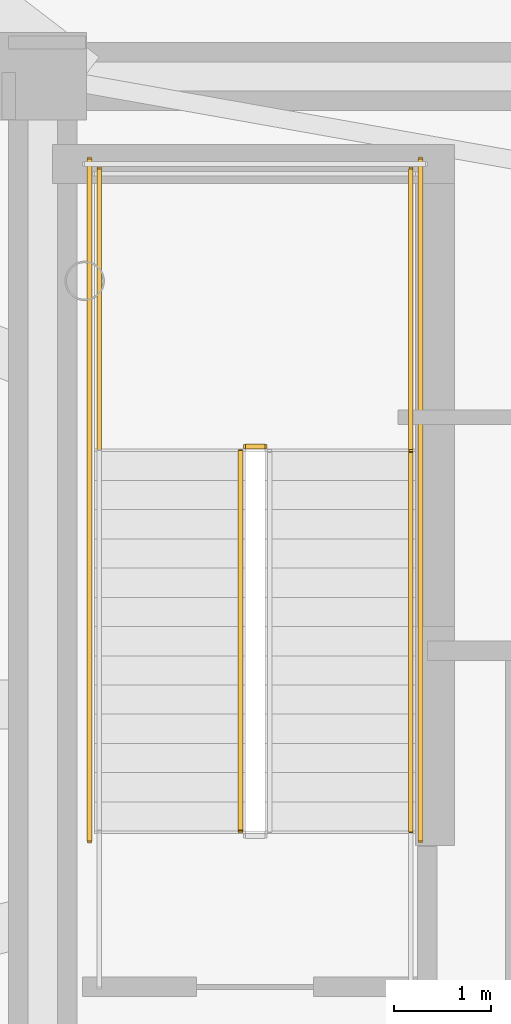
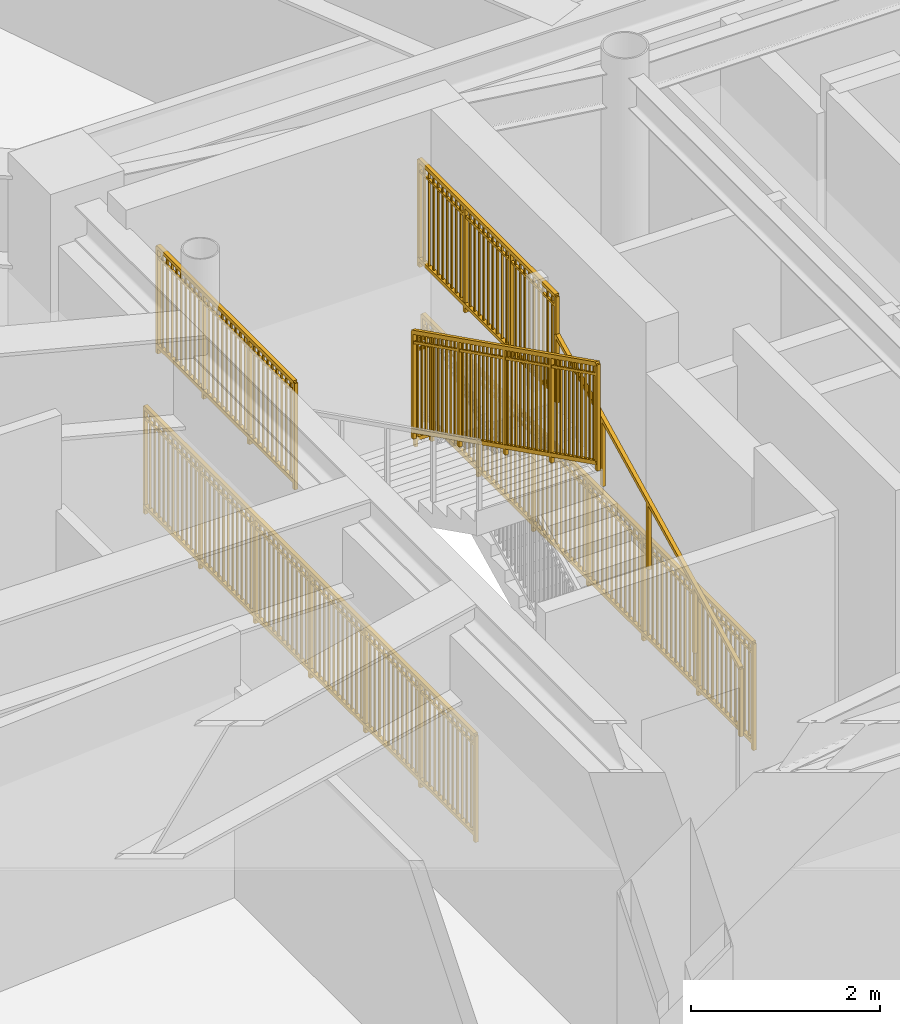
# One storey, part 24 of 26: 7 railings.
"""IFC4 building model written with IfcOpenShell, lengths in metres."""

from ifc_helpers import new_model, si_unit, direction, frame, origin, origin_2d, place, context, subcontext, project, spatial, rectangle, extrude, source, transform, mapped, material, type_object, element, save


model = new_model("IFC4")

# Units and contexts
model_context = context("Model", 3, precision=1e-05, world=origin(), true_north=direction((0.0, 1.0)))
body_context = subcontext(model_context, "Body", "Model", "MODEL_VIEW")
ifc_project = project(units=[si_unit("LENGTHUNIT", "METRE"), si_unit("AREAUNIT", "SQUARE_METRE"), si_unit("VOLUMEUNIT", "CUBIC_METRE"), si_unit("PLANEANGLEUNIT", "RADIAN"), si_unit("MASSUNIT", "GRAM", prefix="KILO")], contexts=[model_context])

# Site, building, storey
site_placement = place(None, origin())
site = spatial("IfcSite", under=ifc_project, at=site_placement, CompositionType="ELEMENT")
building_placement = place(site_placement, origin())
building = spatial("IfcBuilding", under=site, at=building_placement, Name="Linh Dai School and Residence Tower", CompositionType="ELEMENT")
storey_placement = place(building_placement, frame((0.0, 0.0, 351.0)))
storey = spatial("IfcBuildingStorey", under=building, at=storey_placement, Name="L87", CompositionType="ELEMENT", Elevation=351.0)

# Railings
ifc_material_1 = material(Name="Structural Steel S355JR", Category="steel")
railing_type_1 = type_object("IfcRailingType", Name="RL-ST-GUARD-1400", PredefinedType="GUARDRAIL", material=ifc_material_1)
shared_shape_1 = source(origin(), body_context, "Body", "SweptSolid", [
    extrude(rectangle(XDim=0.048095703125, YDim=0.048095703125, at=origin_2d()), frame((0.0, 0.0, 1.3759765625), z_axis=(-1.0, 0.0, 0.0), x_axis=(0.0, -1.0, 0.0)), (0.0, 0.0, 1.0), 0.199951171875),
    extrude(rectangle(XDim=0.048095703125, YDim=0.048095703125, at=origin_2d()), frame((0.0, 0.0, 0.10009765625), z_axis=(-1.0, 0.0, 0.0), x_axis=(0.0, -1.0, 0.0)), (0.0, 0.0, 1.0), 0.199951171875),
    extrude(rectangle(XDim=0.030029296875, YDim=0.030029296875, at=origin_2d()), frame((0.0, 0.0, 1.239990234375), z_axis=(-1.0, 0.0, 0.0), x_axis=(0.0, -1.0, 0.0)), (0.0, 0.0, 1.0), 0.199951171875),
    extrude(rectangle(XDim=0.0419921875, YDim=0.0419921875, at=origin_2d()), origin(), (0.0, 0.0, 1.0), 1.3759765625),
    extrude(rectangle(XDim=0.0419921875, YDim=0.0419921875, at=origin_2d()), frame((-0.199951171875, 0.0, 0.0)), (0.0, 0.0, 1.0), 1.3759765625),
])
railing_1_placement = place(storey_placement, frame((29.429931640625, 29.64990234375, 2.10009765625)))
element("IfcRailing", 1, at=railing_1_placement, inside=storey, type_object=railing_type_1, Name="L87 ST1 stair guard 2", PredefinedType="GUARDRAIL", context=body_context, shape_type="MappedRepresentation", body=[
    mapped(shared_shape_1, transform((0.0, 0.0, 0.0), x_axis=(1.0, 0.0, 0.0), y_axis=(0.0, 1.0, 0.0), z_axis=(0.0, 0.0, 1.0), scale=1.0)),
])
shared_shape_2 = source(origin(), body_context, "Body", "SweptSolid", [
    extrude(rectangle(XDim=0.048095703125, YDim=0.048095703125, at=origin_2d()), frame((0.0, 0.0, 1.3759765625), z_axis=(0.0, 1.0, 0.0), x_axis=(-1.0, 0.0, 0.0)), (0.0, 0.0, 1.0), 7.0),
    extrude(rectangle(XDim=0.048095703125, YDim=0.048095703125, at=origin_2d()), frame((0.0, 0.0, 0.10009765625), z_axis=(0.0, 1.0, 0.0), x_axis=(-1.0, 0.0, 0.0)), (0.0, 0.0, 1.0), 7.0),
    extrude(rectangle(XDim=0.030029296875, YDim=0.030029296875, at=origin_2d()), frame((0.0, 0.0, 1.239990234375), z_axis=(0.0, 1.0, 0.0), x_axis=(-1.0, 0.0, 0.0)), (0.0, 0.0, 1.0), 7.0),
    extrude(rectangle(XDim=0.02001953125, YDim=0.02001953125, at=origin_2d()), frame((0.0, 0.09716796875, 0.10009765625)), (0.0, 0.0, 1.0), 1.251708984375),
    extrude(rectangle(XDim=0.02001953125, YDim=0.02001953125, at=origin_2d()), frame((0.0, 0.1943359375, 0.10009765625)), (0.0, 0.0, 1.0), 1.251708984375),
    extrude(rectangle(XDim=0.02001953125, YDim=0.02001953125, at=origin_2d()), frame((0.0, 0.291748046875, 0.10009765625)), (0.0, 0.0, 1.0), 1.251708984375),
    extrude(rectangle(XDim=0.02001953125, YDim=0.02001953125, at=origin_2d()), frame((0.0, 0.388916015625, 0.10009765625)), (0.0, 0.0, 1.0), 1.251708984375),
    extrude(rectangle(XDim=0.02001953125, YDim=0.02001953125, at=origin_2d()), frame((0.0, 0.486083984375, 0.10009765625)), (0.0, 0.0, 1.0), 1.251708984375),
    extrude(rectangle(XDim=0.02001953125, YDim=0.02001953125, at=origin_2d()), frame((0.0, 0.583251953125, 0.10009765625)), (0.0, 0.0, 1.0), 1.251708984375),
    extrude(rectangle(XDim=0.02001953125, YDim=0.02001953125, at=origin_2d()), frame((0.0, 0.6806640625, 0.10009765625)), (0.0, 0.0, 1.0), 1.251708984375),
    extrude(rectangle(XDim=0.02001953125, YDim=0.02001953125, at=origin_2d()), frame((0.0, 0.77783203125, 0.10009765625)), (0.0, 0.0, 1.0), 1.251708984375),
    extrude(rectangle(XDim=0.02001953125, YDim=0.02001953125, at=origin_2d()), frame((0.0, 0.875, 0.10009765625)), (0.0, 0.0, 1.0), 1.251708984375),
    extrude(rectangle(XDim=0.02001953125, YDim=0.02001953125, at=origin_2d()), frame((0.0, 0.97216796875, 0.10009765625)), (0.0, 0.0, 1.0), 1.251708984375),
    extrude(rectangle(XDim=0.02001953125, YDim=0.02001953125, at=origin_2d()), frame((0.0, 1.0693359375, 0.10009765625)), (0.0, 0.0, 1.0), 1.251708984375),
    extrude(rectangle(XDim=0.02001953125, YDim=0.02001953125, at=origin_2d()), frame((0.0, 1.263916015625, 0.10009765625)), (0.0, 0.0, 1.0), 1.251708984375),
    extrude(rectangle(XDim=0.02001953125, YDim=0.02001953125, at=origin_2d()), frame((0.0, 1.361083984375, 0.10009765625)), (0.0, 0.0, 1.0), 1.251708984375),
    extrude(rectangle(XDim=0.02001953125, YDim=0.02001953125, at=origin_2d()), frame((0.0, 1.458251953125, 0.10009765625)), (0.0, 0.0, 1.0), 1.251708984375),
    extrude(rectangle(XDim=0.02001953125, YDim=0.02001953125, at=origin_2d()), frame((0.0, 1.5556640625, 0.10009765625)), (0.0, 0.0, 1.0), 1.251708984375),
    extrude(rectangle(XDim=0.02001953125, YDim=0.02001953125, at=origin_2d()), frame((0.0, 1.65283203125, 0.10009765625)), (0.0, 0.0, 1.0), 1.251708984375),
    extrude(rectangle(XDim=0.02001953125, YDim=0.02001953125, at=origin_2d()), frame((0.0, 1.75, 0.10009765625)), (0.0, 0.0, 1.0), 1.251708984375),
    extrude(rectangle(XDim=0.02001953125, YDim=0.02001953125, at=origin_2d()), frame((0.0, 1.84716796875, 0.10009765625)), (0.0, 0.0, 1.0), 1.251708984375),
    extrude(rectangle(XDim=0.02001953125, YDim=0.02001953125, at=origin_2d()), frame((0.0, 1.9443359375, 0.10009765625)), (0.0, 0.0, 1.0), 1.251708984375),
    extrude(rectangle(XDim=0.02001953125, YDim=0.02001953125, at=origin_2d()), frame((0.0, 2.041748046875, 0.10009765625)), (0.0, 0.0, 1.0), 1.251708984375),
    extrude(rectangle(XDim=0.02001953125, YDim=0.02001953125, at=origin_2d()), frame((0.0, 2.138916015625, 0.10009765625)), (0.0, 0.0, 1.0), 1.251708984375),
    extrude(rectangle(XDim=0.02001953125, YDim=0.02001953125, at=origin_2d()), frame((0.0, 2.236083984375, 0.10009765625)), (0.0, 0.0, 1.0), 1.251708984375),
    extrude(rectangle(XDim=0.02001953125, YDim=0.02001953125, at=origin_2d()), frame((0.0, 2.4306640625, 0.10009765625)), (0.0, 0.0, 1.0), 1.251708984375),
    extrude(rectangle(XDim=0.02001953125, YDim=0.02001953125, at=origin_2d()), frame((0.0, 2.52783203125, 0.10009765625)), (0.0, 0.0, 1.0), 1.251708984375),
    extrude(rectangle(XDim=0.02001953125, YDim=0.02001953125, at=origin_2d()), frame((0.0, 2.625, 0.10009765625)), (0.0, 0.0, 1.0), 1.251708984375),
    extrude(rectangle(XDim=0.02001953125, YDim=0.02001953125, at=origin_2d()), frame((0.0, 2.72216796875, 0.10009765625)), (0.0, 0.0, 1.0), 1.251708984375),
    extrude(rectangle(XDim=0.02001953125, YDim=0.02001953125, at=origin_2d()), frame((0.0, 2.8193359375, 0.10009765625)), (0.0, 0.0, 1.0), 1.251708984375),
    extrude(rectangle(XDim=0.02001953125, YDim=0.02001953125, at=origin_2d()), frame((0.0, 2.916748046875, 0.10009765625)), (0.0, 0.0, 1.0), 1.251708984375),
    extrude(rectangle(XDim=0.02001953125, YDim=0.02001953125, at=origin_2d()), frame((0.0, 3.013916015625, 0.10009765625)), (0.0, 0.0, 1.0), 1.251708984375),
    extrude(rectangle(XDim=0.02001953125, YDim=0.02001953125, at=origin_2d()), frame((0.0, 3.111083984375, 0.10009765625)), (0.0, 0.0, 1.0), 1.251708984375),
    extrude(rectangle(XDim=0.02001953125, YDim=0.02001953125, at=origin_2d()), frame((0.0, 3.208251953125, 0.10009765625)), (0.0, 0.0, 1.0), 1.251708984375),
    extrude(rectangle(XDim=0.02001953125, YDim=0.02001953125, at=origin_2d()), frame((0.0, 3.3056640625, 0.10009765625)), (0.0, 0.0, 1.0), 1.251708984375),
    extrude(rectangle(XDim=0.02001953125, YDim=0.02001953125, at=origin_2d()), frame((0.0, 3.40283203125, 0.10009765625)), (0.0, 0.0, 1.0), 1.251708984375),
    extrude(rectangle(XDim=0.02001953125, YDim=0.02001953125, at=origin_2d()), frame((0.0, 3.59716796875, 0.10009765625)), (0.0, 0.0, 1.0), 1.251708984375),
    extrude(rectangle(XDim=0.02001953125, YDim=0.02001953125, at=origin_2d()), frame((0.0, 3.6943359375, 0.10009765625)), (0.0, 0.0, 1.0), 1.251708984375),
    extrude(rectangle(XDim=0.02001953125, YDim=0.02001953125, at=origin_2d()), frame((0.0, 3.791748046875, 0.10009765625)), (0.0, 0.0, 1.0), 1.251708984375),
    extrude(rectangle(XDim=0.02001953125, YDim=0.02001953125, at=origin_2d()), frame((0.0, 3.888916015625, 0.10009765625)), (0.0, 0.0, 1.0), 1.251708984375),
    extrude(rectangle(XDim=0.02001953125, YDim=0.02001953125, at=origin_2d()), frame((0.0, 3.986083984375, 0.10009765625)), (0.0, 0.0, 1.0), 1.251708984375),
    extrude(rectangle(XDim=0.02001953125, YDim=0.02001953125, at=origin_2d()), frame((0.0, 4.083251953125, 0.10009765625)), (0.0, 0.0, 1.0), 1.251708984375),
    extrude(rectangle(XDim=0.02001953125, YDim=0.02001953125, at=origin_2d()), frame((0.0, 4.1806640625, 0.10009765625)), (0.0, 0.0, 1.0), 1.251708984375),
    extrude(rectangle(XDim=0.02001953125, YDim=0.02001953125, at=origin_2d()), frame((0.0, 4.27783203125, 0.10009765625)), (0.0, 0.0, 1.0), 1.251708984375),
    extrude(rectangle(XDim=0.02001953125, YDim=0.02001953125, at=origin_2d()), frame((0.0, 4.375, 0.10009765625)), (0.0, 0.0, 1.0), 1.251708984375),
    extrude(rectangle(XDim=0.02001953125, YDim=0.02001953125, at=origin_2d()), frame((0.0, 4.47216796875, 0.10009765625)), (0.0, 0.0, 1.0), 1.251708984375),
    extrude(rectangle(XDim=0.02001953125, YDim=0.02001953125, at=origin_2d()), frame((0.0, 4.5693359375, 0.10009765625)), (0.0, 0.0, 1.0), 1.251708984375),
    extrude(rectangle(XDim=0.02001953125, YDim=0.02001953125, at=origin_2d()), frame((0.0, 4.763916015625, 0.10009765625)), (0.0, 0.0, 1.0), 1.251708984375),
    extrude(rectangle(XDim=0.02001953125, YDim=0.02001953125, at=origin_2d()), frame((0.0, 4.861083984375, 0.10009765625)), (0.0, 0.0, 1.0), 1.251708984375),
    extrude(rectangle(XDim=0.02001953125, YDim=0.02001953125, at=origin_2d()), frame((0.0, 4.958251953125, 0.10009765625)), (0.0, 0.0, 1.0), 1.251708984375),
    extrude(rectangle(XDim=0.02001953125, YDim=0.02001953125, at=origin_2d()), frame((0.0, 5.0556640625, 0.10009765625)), (0.0, 0.0, 1.0), 1.251708984375),
    extrude(rectangle(XDim=0.02001953125, YDim=0.02001953125, at=origin_2d()), frame((0.0, 5.15283203125, 0.10009765625)), (0.0, 0.0, 1.0), 1.251708984375),
    extrude(rectangle(XDim=0.02001953125, YDim=0.02001953125, at=origin_2d()), frame((0.0, 5.25, 0.10009765625)), (0.0, 0.0, 1.0), 1.251708984375),
    extrude(rectangle(XDim=0.02001953125, YDim=0.02001953125, at=origin_2d()), frame((0.0, 5.34716796875, 0.10009765625)), (0.0, 0.0, 1.0), 1.251708984375),
    extrude(rectangle(XDim=0.02001953125, YDim=0.02001953125, at=origin_2d()), frame((0.0, 5.4443359375, 0.10009765625)), (0.0, 0.0, 1.0), 1.251708984375),
    extrude(rectangle(XDim=0.02001953125, YDim=0.02001953125, at=origin_2d()), frame((0.0, 5.541748046875, 0.10009765625)), (0.0, 0.0, 1.0), 1.251708984375),
    extrude(rectangle(XDim=0.02001953125, YDim=0.02001953125, at=origin_2d()), frame((0.0, 5.638916015625, 0.10009765625)), (0.0, 0.0, 1.0), 1.251708984375),
    extrude(rectangle(XDim=0.02001953125, YDim=0.02001953125, at=origin_2d()), frame((0.0, 5.736083984375, 0.10009765625)), (0.0, 0.0, 1.0), 1.251708984375),
    extrude(rectangle(XDim=0.02001953125, YDim=0.02001953125, at=origin_2d()), frame((0.0, 5.9306640625, 0.10009765625)), (0.0, 0.0, 1.0), 1.251708984375),
    extrude(rectangle(XDim=0.02001953125, YDim=0.02001953125, at=origin_2d()), frame((0.0, 6.02783203125, 0.10009765625)), (0.0, 0.0, 1.0), 1.251708984375),
    extrude(rectangle(XDim=0.02001953125, YDim=0.02001953125, at=origin_2d()), frame((0.0, 6.125, 0.10009765625)), (0.0, 0.0, 1.0), 1.251708984375),
    extrude(rectangle(XDim=0.02001953125, YDim=0.02001953125, at=origin_2d()), frame((0.0, 6.22216796875, 0.10009765625)), (0.0, 0.0, 1.0), 1.251708984375),
    extrude(rectangle(XDim=0.02001953125, YDim=0.02001953125, at=origin_2d()), frame((0.0, 6.3193359375, 0.10009765625)), (0.0, 0.0, 1.0), 1.251708984375),
    extrude(rectangle(XDim=0.02001953125, YDim=0.02001953125, at=origin_2d()), frame((0.0, 6.416748046875, 0.10009765625)), (0.0, 0.0, 1.0), 1.251708984375),
    extrude(rectangle(XDim=0.02001953125, YDim=0.02001953125, at=origin_2d()), frame((0.0, 6.513916015625, 0.10009765625)), (0.0, 0.0, 1.0), 1.251708984375),
    extrude(rectangle(XDim=0.02001953125, YDim=0.02001953125, at=origin_2d()), frame((0.0, 6.611083984375, 0.10009765625)), (0.0, 0.0, 1.0), 1.251708984375),
    extrude(rectangle(XDim=0.02001953125, YDim=0.02001953125, at=origin_2d()), frame((0.0, 6.708251953125, 0.10009765625)), (0.0, 0.0, 1.0), 1.251708984375),
    extrude(rectangle(XDim=0.02001953125, YDim=0.02001953125, at=origin_2d()), frame((0.0, 6.8056640625, 0.10009765625)), (0.0, 0.0, 1.0), 1.251708984375),
    extrude(rectangle(XDim=0.02001953125, YDim=0.02001953125, at=origin_2d()), frame((0.0, 6.90283203125, 0.10009765625)), (0.0, 0.0, 1.0), 1.251708984375),
    extrude(rectangle(XDim=0.0419921875, YDim=0.0419921875, at=origin_2d()), origin(), (0.0, 0.0, 1.0), 1.3759765625),
    extrude(rectangle(XDim=0.0419921875, YDim=0.0419921875, at=origin_2d()), frame((0.0, 1.166748046875, 0.0)), (0.0, 0.0, 1.0), 1.3759765625),
    extrude(rectangle(XDim=0.0419921875, YDim=0.0419921875, at=origin_2d()), frame((0.0, 2.333251953125, 0.0)), (0.0, 0.0, 1.0), 1.3759765625),
    extrude(rectangle(XDim=0.0419921875, YDim=0.0419921875, at=origin_2d()), frame((0.0, 3.5, 0.0)), (0.0, 0.0, 1.0), 1.3759765625),
    extrude(rectangle(XDim=0.0419921875, YDim=0.0419921875, at=origin_2d()), frame((0.0, 4.666748046875, 0.0)), (0.0, 0.0, 1.0), 1.3759765625),
    extrude(rectangle(XDim=0.0419921875, YDim=0.0419921875, at=origin_2d()), frame((0.0, 5.833251953125, 0.0)), (0.0, 0.0, 1.0), 1.3759765625),
    extrude(rectangle(XDim=0.0419921875, YDim=0.0419921875, at=origin_2d()), frame((0.0, 7.0, 0.0)), (0.0, 0.0, 1.0), 1.3759765625),
])
for number, where, name in (
    (2, (31.030029296875, 25.60009765625, 0.0), "L87 ST1 stair guard 10"),
    (3, (27.6298828125, 25.60009765625, 0.0), "L87 ST1 stair guard 11"),
):
    element("IfcRailing", number, at=place(storey_placement, frame(where)), inside=storey, type_object=railing_type_1, Name=name, PredefinedType="GUARDRAIL", context=body_context, shape_type="MappedRepresentation", body=[
        mapped(shared_shape_2, transform((0.0, 0.0, 0.0), x_axis=(1.0, 0.0, 0.0), y_axis=(0.0, 1.0, 0.0), z_axis=(0.0, 0.0, 1.0), scale=1.0)),
    ])
shared_shape_3 = source(origin(), body_context, "Body", "SweptSolid", [
    extrude(rectangle(XDim=0.048095703125, YDim=0.048095703125, at=origin_2d()), frame((0.0, 0.0, 1.3759765625), z_axis=(0.0, 1.0, 0.0), x_axis=(-1.0, 0.0, 0.0)), (0.0, 0.0, 1.0), 2.89990234375),
    extrude(rectangle(XDim=0.048095703125, YDim=0.048095703125, at=origin_2d()), frame((0.0, 0.0, 0.10009765625), z_axis=(0.0, 1.0, 0.0), x_axis=(-1.0, 0.0, 0.0)), (0.0, 0.0, 1.0), 2.89990234375),
    extrude(rectangle(XDim=0.030029296875, YDim=0.030029296875, at=origin_2d()), frame((0.0, 0.0, 1.239990234375), z_axis=(0.0, 1.0, 0.0), x_axis=(-1.0, 0.0, 0.0)), (0.0, 0.0, 1.0), 2.89990234375),
    extrude(rectangle(XDim=0.02001953125, YDim=0.02001953125, at=origin_2d()), frame((0.0, 0.0966796875, 0.10009765625)), (0.0, 0.0, 1.0), 1.251708984375),
    extrude(rectangle(XDim=0.02001953125, YDim=0.02001953125, at=origin_2d()), frame((0.0, 0.193359375, 0.10009765625)), (0.0, 0.0, 1.0), 1.251708984375),
    extrude(rectangle(XDim=0.02001953125, YDim=0.02001953125, at=origin_2d()), frame((0.0, 0.2900390625, 0.10009765625)), (0.0, 0.0, 1.0), 1.251708984375),
    extrude(rectangle(XDim=0.02001953125, YDim=0.02001953125, at=origin_2d()), frame((0.0, 0.38671875, 0.10009765625)), (0.0, 0.0, 1.0), 1.251708984375),
    extrude(rectangle(XDim=0.02001953125, YDim=0.02001953125, at=origin_2d()), frame((0.0, 0.4833984375, 0.10009765625)), (0.0, 0.0, 1.0), 1.251708984375),
    extrude(rectangle(XDim=0.02001953125, YDim=0.02001953125, at=origin_2d()), frame((0.0, 0.580078125, 0.10009765625)), (0.0, 0.0, 1.0), 1.251708984375),
    extrude(rectangle(XDim=0.02001953125, YDim=0.02001953125, at=origin_2d()), frame((0.0, 0.6767578125, 0.10009765625)), (0.0, 0.0, 1.0), 1.251708984375),
    extrude(rectangle(XDim=0.02001953125, YDim=0.02001953125, at=origin_2d()), frame((0.0, 0.773193359375, 0.10009765625)), (0.0, 0.0, 1.0), 1.251708984375),
    extrude(rectangle(XDim=0.02001953125, YDim=0.02001953125, at=origin_2d()), frame((0.0, 0.869873046875, 0.10009765625)), (0.0, 0.0, 1.0), 1.251708984375),
    extrude(rectangle(XDim=0.02001953125, YDim=0.02001953125, at=origin_2d()), frame((0.0, 1.063232421875, 0.10009765625)), (0.0, 0.0, 1.0), 1.251708984375),
    extrude(rectangle(XDim=0.02001953125, YDim=0.02001953125, at=origin_2d()), frame((0.0, 1.159912109375, 0.10009765625)), (0.0, 0.0, 1.0), 1.251708984375),
    extrude(rectangle(XDim=0.02001953125, YDim=0.02001953125, at=origin_2d()), frame((0.0, 1.256591796875, 0.10009765625)), (0.0, 0.0, 1.0), 1.251708984375),
    extrude(rectangle(XDim=0.02001953125, YDim=0.02001953125, at=origin_2d()), frame((0.0, 1.353271484375, 0.10009765625)), (0.0, 0.0, 1.0), 1.251708984375),
    extrude(rectangle(XDim=0.02001953125, YDim=0.02001953125, at=origin_2d()), frame((0.0, 1.449951171875, 0.10009765625)), (0.0, 0.0, 1.0), 1.251708984375),
    extrude(rectangle(XDim=0.02001953125, YDim=0.02001953125, at=origin_2d()), frame((0.0, 1.546630859375, 0.10009765625)), (0.0, 0.0, 1.0), 1.251708984375),
    extrude(rectangle(XDim=0.02001953125, YDim=0.02001953125, at=origin_2d()), frame((0.0, 1.643310546875, 0.10009765625)), (0.0, 0.0, 1.0), 1.251708984375),
    extrude(rectangle(XDim=0.02001953125, YDim=0.02001953125, at=origin_2d()), frame((0.0, 1.739990234375, 0.10009765625)), (0.0, 0.0, 1.0), 1.251708984375),
    extrude(rectangle(XDim=0.02001953125, YDim=0.02001953125, at=origin_2d()), frame((0.0, 1.836669921875, 0.10009765625)), (0.0, 0.0, 1.0), 1.251708984375),
    extrude(rectangle(XDim=0.02001953125, YDim=0.02001953125, at=origin_2d()), frame((0.0, 2.030029296875, 0.10009765625)), (0.0, 0.0, 1.0), 1.251708984375),
    extrude(rectangle(XDim=0.02001953125, YDim=0.02001953125, at=origin_2d()), frame((0.0, 2.126708984375, 0.10009765625)), (0.0, 0.0, 1.0), 1.251708984375),
    extrude(rectangle(XDim=0.02001953125, YDim=0.02001953125, at=origin_2d()), frame((0.0, 2.22314453125, 0.10009765625)), (0.0, 0.0, 1.0), 1.251708984375),
    extrude(rectangle(XDim=0.02001953125, YDim=0.02001953125, at=origin_2d()), frame((0.0, 2.31982421875, 0.10009765625)), (0.0, 0.0, 1.0), 1.251708984375),
    extrude(rectangle(XDim=0.02001953125, YDim=0.02001953125, at=origin_2d()), frame((0.0, 2.41650390625, 0.10009765625)), (0.0, 0.0, 1.0), 1.251708984375),
    extrude(rectangle(XDim=0.02001953125, YDim=0.02001953125, at=origin_2d()), frame((0.0, 2.51318359375, 0.10009765625)), (0.0, 0.0, 1.0), 1.251708984375),
    extrude(rectangle(XDim=0.02001953125, YDim=0.02001953125, at=origin_2d()), frame((0.0, 2.60986328125, 0.10009765625)), (0.0, 0.0, 1.0), 1.251708984375),
    extrude(rectangle(XDim=0.02001953125, YDim=0.02001953125, at=origin_2d()), frame((0.0, 2.70654296875, 0.10009765625)), (0.0, 0.0, 1.0), 1.251708984375),
    extrude(rectangle(XDim=0.02001953125, YDim=0.02001953125, at=origin_2d()), frame((0.0, 2.80322265625, 0.10009765625)), (0.0, 0.0, 1.0), 1.251708984375),
    extrude(rectangle(XDim=0.0419921875, YDim=0.0419921875, at=origin_2d()), origin(), (0.0, 0.0, 1.0), 1.3759765625),
    extrude(rectangle(XDim=0.0419921875, YDim=0.0419921875, at=origin_2d()), frame((0.0, 0.966552734375, 0.0)), (0.0, 0.0, 1.0), 1.3759765625),
    extrude(rectangle(XDim=0.0419921875, YDim=0.0419921875, at=origin_2d()), frame((0.0, 1.933349609375, 0.0)), (0.0, 0.0, 1.0), 1.3759765625),
    extrude(rectangle(XDim=0.0419921875, YDim=0.0419921875, at=origin_2d()), frame((0.0, 2.89990234375, 0.0)), (0.0, 0.0, 1.0), 1.3759765625),
])
for number, where, name in (
    (4, (30.929931640625, 29.60009765625, 2.10009765625), "L87 ST1 stair guard 3"),
    (5, (27.72998046875, 29.60009765625, 2.10009765625), "L87 ST1 stair guard 4"),
):
    element("IfcRailing", number, at=place(storey_placement, frame(where)), inside=storey, type_object=railing_type_1, Name=name, PredefinedType="GUARDRAIL", context=body_context, shape_type="MappedRepresentation", body=[
        mapped(shared_shape_3, transform((0.0, 0.0, 0.0), x_axis=(1.0, 0.0, 0.0), y_axis=(0.0, 1.0, 0.0), z_axis=(0.0, 0.0, 1.0), scale=1.0)),
    ])
shared_shape_4 = source(origin(), body_context, "Body", "SweptSolid", [
    extrude(rectangle(XDim=0.048095703125, YDim=0.048095703125, at=origin_2d()), frame((0.0, 0.0, 1.3759765625), z_axis=(0.0, -0.894438388696, 0.447191199406), x_axis=(1.0, 0.0, 0.0)), (0.0, 0.0, 1.0), 4.3603515625),
    extrude(rectangle(XDim=0.048095703125, YDim=0.048095703125, at=origin_2d()), frame((0.0, 0.0, 0.10009765625), z_axis=(0.0, -0.894438388696, 0.447191199406), x_axis=(1.0, 0.0, 0.0)), (0.0, 0.0, 1.0), 4.3603515625),
    extrude(rectangle(XDim=0.030029296875, YDim=0.030029296875, at=origin_2d()), frame((0.0, 0.0, 1.239990234375), z_axis=(0.0, -0.894438388696, 0.447191199406), x_axis=(1.0, 0.0, 0.0)), (0.0, 0.0, 1.0), 4.3603515625),
    extrude(rectangle(XDim=0.02001953125, YDim=0.02001953125, at=origin_2d()), frame((0.0, -0.086669921875, 0.143310546875)), (0.0, 0.0, 1.0), 1.251708984375),
    extrude(rectangle(XDim=0.02001953125, YDim=0.02001953125, at=origin_2d()), frame((0.0, -0.17333984375, 0.186767578125)), (0.0, 0.0, 1.0), 1.251708984375),
    extrude(rectangle(XDim=0.02001953125, YDim=0.02001953125, at=origin_2d()), frame((0.0, -0.260009765625, 0.22998046875)), (0.0, 0.0, 1.0), 1.251708984375),
    extrude(rectangle(XDim=0.02001953125, YDim=0.02001953125, at=origin_2d()), frame((0.0, -0.3466796875, 0.2734375)), (0.0, 0.0, 1.0), 1.251708984375),
    extrude(rectangle(XDim=0.02001953125, YDim=0.02001953125, at=origin_2d()), frame((0.0, -0.433349609375, 0.316650390625)), (0.0, 0.0, 1.0), 1.251708984375),
    extrude(rectangle(XDim=0.02001953125, YDim=0.02001953125, at=origin_2d()), frame((0.0, -0.52001953125, 0.360107421875)), (0.0, 0.0, 1.0), 1.251708984375),
    extrude(rectangle(XDim=0.02001953125, YDim=0.02001953125, at=origin_2d()), frame((0.0, -0.606689453125, 0.4033203125)), (0.0, 0.0, 1.0), 1.251708984375),
    extrude(rectangle(XDim=0.02001953125, YDim=0.02001953125, at=origin_2d()), frame((0.0, -0.693359375, 0.44677734375)), (0.0, 0.0, 1.0), 1.251708984375),
    extrude(rectangle(XDim=0.02001953125, YDim=0.02001953125, at=origin_2d()), frame((0.0, -0.780029296875, 0.489990234375)), (0.0, 0.0, 1.0), 1.251708984375),
    extrude(rectangle(XDim=0.02001953125, YDim=0.02001953125, at=origin_2d()), frame((0.0, -0.86669921875, 0.533447265625)), (0.0, 0.0, 1.0), 1.251708984375),
    extrude(rectangle(XDim=0.02001953125, YDim=0.02001953125, at=origin_2d()), frame((0.0, -1.0400390625, 0.6201171875)), (0.0, 0.0, 1.0), 1.251708984375),
    extrude(rectangle(XDim=0.02001953125, YDim=0.02001953125, at=origin_2d()), frame((0.0, -1.126708984375, 0.663330078125)), (0.0, 0.0, 1.0), 1.251708984375),
    extrude(rectangle(XDim=0.02001953125, YDim=0.02001953125, at=origin_2d()), frame((0.0, -1.21337890625, 0.706787109375)), (0.0, 0.0, 1.0), 1.251708984375),
    extrude(rectangle(XDim=0.02001953125, YDim=0.02001953125, at=origin_2d()), frame((0.0, -1.300048828125, 0.75)), (0.0, 0.0, 1.0), 1.251708984375),
    extrude(rectangle(XDim=0.02001953125, YDim=0.02001953125, at=origin_2d()), frame((0.0, -1.38671875, 0.79345703125)), (0.0, 0.0, 1.0), 1.251708984375),
    extrude(rectangle(XDim=0.02001953125, YDim=0.02001953125, at=origin_2d()), frame((0.0, -1.473388671875, 0.836669921875)), (0.0, 0.0, 1.0), 1.251708984375),
    extrude(rectangle(XDim=0.02001953125, YDim=0.02001953125, at=origin_2d()), frame((0.0, -1.56005859375, 0.880126953125)), (0.0, 0.0, 1.0), 1.251708984375),
    extrude(rectangle(XDim=0.02001953125, YDim=0.02001953125, at=origin_2d()), frame((0.0, -1.646728515625, 0.92333984375)), (0.0, 0.0, 1.0), 1.251708984375),
    extrude(rectangle(XDim=0.02001953125, YDim=0.02001953125, at=origin_2d()), frame((0.0, -1.7333984375, 0.966796875)), (0.0, 0.0, 1.0), 1.251708984375),
    extrude(rectangle(XDim=0.02001953125, YDim=0.02001953125, at=origin_2d()), frame((0.0, -1.820068359375, 1.010009765625)), (0.0, 0.0, 1.0), 1.251708984375),
    extrude(rectangle(XDim=0.02001953125, YDim=0.02001953125, at=origin_2d()), frame((0.0, -1.90673828125, 1.053466796875)), (0.0, 0.0, 1.0), 1.251708984375),
    extrude(rectangle(XDim=0.02001953125, YDim=0.02001953125, at=origin_2d()), frame((0.0, -1.993408203125, 1.0966796875)), (0.0, 0.0, 1.0), 1.251708984375),
    extrude(rectangle(XDim=0.02001953125, YDim=0.02001953125, at=origin_2d()), frame((0.0, -2.080078125, 1.14013671875)), (0.0, 0.0, 1.0), 1.251708984375),
    extrude(rectangle(XDim=0.02001953125, YDim=0.02001953125, at=origin_2d()), frame((0.0, -2.166748046875, 1.183349609375)), (0.0, 0.0, 1.0), 1.251708984375),
    extrude(rectangle(XDim=0.02001953125, YDim=0.02001953125, at=origin_2d()), frame((0.0, -2.25341796875, 1.226806640625)), (0.0, 0.0, 1.0), 1.251708984375),
    extrude(rectangle(XDim=0.02001953125, YDim=0.02001953125, at=origin_2d()), frame((0.0, -2.340087890625, 1.27001953125)), (0.0, 0.0, 1.0), 1.251708984375),
    extrude(rectangle(XDim=0.02001953125, YDim=0.02001953125, at=origin_2d()), frame((0.0, -2.4267578125, 1.3134765625)), (0.0, 0.0, 1.0), 1.251708984375),
    extrude(rectangle(XDim=0.02001953125, YDim=0.02001953125, at=origin_2d()), frame((0.0, -2.513427734375, 1.356689453125)), (0.0, 0.0, 1.0), 1.251708984375),
    extrude(rectangle(XDim=0.02001953125, YDim=0.02001953125, at=origin_2d()), frame((0.0, -2.60009765625, 1.400146484375)), (0.0, 0.0, 1.0), 1.251708984375),
    extrude(rectangle(XDim=0.02001953125, YDim=0.02001953125, at=origin_2d()), frame((0.0, -2.686767578125, 1.443359375)), (0.0, 0.0, 1.0), 1.251708984375),
    extrude(rectangle(XDim=0.02001953125, YDim=0.02001953125, at=origin_2d()), frame((0.0, -2.7734375, 1.48681640625)), (0.0, 0.0, 1.0), 1.251708984375),
    extrude(rectangle(XDim=0.02001953125, YDim=0.02001953125, at=origin_2d()), frame((0.0, -2.860107421875, 1.530029296875)), (0.0, 0.0, 1.0), 1.251708984375),
    extrude(rectangle(XDim=0.02001953125, YDim=0.02001953125, at=origin_2d()), frame((0.0, -3.033447265625, 1.61669921875)), (0.0, 0.0, 1.0), 1.251708984375),
    extrude(rectangle(XDim=0.02001953125, YDim=0.02001953125, at=origin_2d()), frame((0.0, -3.1201171875, 1.66015625)), (0.0, 0.0, 1.0), 1.251708984375),
    extrude(rectangle(XDim=0.02001953125, YDim=0.02001953125, at=origin_2d()), frame((0.0, -3.206787109375, 1.703369140625)), (0.0, 0.0, 1.0), 1.251708984375),
    extrude(rectangle(XDim=0.02001953125, YDim=0.02001953125, at=origin_2d()), frame((0.0, -3.29345703125, 1.746826171875)), (0.0, 0.0, 1.0), 1.251708984375),
    extrude(rectangle(XDim=0.02001953125, YDim=0.02001953125, at=origin_2d()), frame((0.0, -3.380126953125, 1.7900390625)), (0.0, 0.0, 1.0), 1.251708984375),
    extrude(rectangle(XDim=0.02001953125, YDim=0.02001953125, at=origin_2d()), frame((0.0, -3.466796875, 1.83349609375)), (0.0, 0.0, 1.0), 1.251708984375),
    extrude(rectangle(XDim=0.02001953125, YDim=0.02001953125, at=origin_2d()), frame((0.0, -3.553466796875, 1.876708984375)), (0.0, 0.0, 1.0), 1.251708984375),
    extrude(rectangle(XDim=0.02001953125, YDim=0.02001953125, at=origin_2d()), frame((0.0, -3.64013671875, 1.920166015625)), (0.0, 0.0, 1.0), 1.251708984375),
    extrude(rectangle(XDim=0.02001953125, YDim=0.02001953125, at=origin_2d()), frame((0.0, -3.726806640625, 1.96337890625)), (0.0, 0.0, 1.0), 1.251708984375),
    extrude(rectangle(XDim=0.02001953125, YDim=0.02001953125, at=origin_2d()), frame((0.0, -3.8134765625, 2.0068359375)), (0.0, 0.0, 1.0), 1.251708984375),
    extrude(rectangle(XDim=0.0419921875, YDim=0.0419921875, at=origin_2d()), origin(), (0.0, 0.0, 1.0), 1.3759765625),
    extrude(rectangle(XDim=0.0419921875, YDim=0.0419921875, at=origin_2d()), frame((0.0, -0.97509765625, 0.487548828125)), (0.0, 0.0, 1.0), 1.3759765625),
    extrude(rectangle(XDim=0.0419921875, YDim=0.0419921875, at=origin_2d()), frame((0.0, -1.9501953125, 0.97509765625)), (0.0, 0.0, 1.0), 1.3759765625),
    extrude(rectangle(XDim=0.0419921875, YDim=0.0419921875, at=origin_2d()), frame((0.0, -2.925048828125, 1.46240234375)), (0.0, 0.0, 1.0), 1.3759765625),
    extrude(rectangle(XDim=0.0419921875, YDim=0.0419921875, at=origin_2d()), frame((0.0, -3.900146484375, 1.949951171875)), (0.0, 0.0, 1.0), 1.3759765625),
])
railing_2_placement = place(storey_placement, frame((29.179931640625, 29.60009765625, 2.25)))
element("IfcRailing", 6, at=railing_2_placement, inside=storey, type_object=railing_type_1, Name="L87 ST1 stair guard 6", PredefinedType="GUARDRAIL", context=body_context, shape_type="MappedRepresentation", body=[
    mapped(shared_shape_4, transform((0.0, 0.0, 0.0), x_axis=(1.0, 0.0, 0.0), y_axis=(0.0, 1.0, 0.0), z_axis=(0.0, 0.0, 1.0), scale=1.0)),
])
ifc_material_2 = material(Name="Brushed Stainless Steel Handrail", Category="steel")
railing_type_2 = type_object("IfcRailingType", Name="RL-ST-HANDRAIL-900", PredefinedType="HANDRAIL", material=ifc_material_2)
shared_shape_5 = source(origin(), body_context, "Body", "SweptSolid", [
    extrude(rectangle(XDim=0.048095703125, YDim=0.048095703125, at=origin_2d()), frame((0.0, 0.0, 0.8759765625), z_axis=(0.0, 0.894415993023, 0.447235990752), x_axis=(-1.0, 0.0, 0.0)), (0.0, 0.0, 1.0), 4.360595703125),
    extrude(rectangle(XDim=0.0419921875, YDim=0.0419921875, at=origin_2d()), origin(), (0.0, 0.0, 1.0), 0.8759765625),
    extrude(rectangle(XDim=0.0419921875, YDim=0.0419921875, at=origin_2d()), frame((0.0, 0.97509765625, 0.487548828125)), (0.0, 0.0, 1.0), 0.8759765625),
    extrude(rectangle(XDim=0.0419921875, YDim=0.0419921875, at=origin_2d()), frame((0.0, 1.9501953125, 0.97509765625)), (0.0, 0.0, 1.0), 0.8759765625),
    extrude(rectangle(XDim=0.0419921875, YDim=0.0419921875, at=origin_2d()), frame((0.0, 2.925048828125, 1.462646484375)), (0.0, 0.0, 1.0), 0.8759765625),
    extrude(rectangle(XDim=0.0419921875, YDim=0.0419921875, at=origin_2d()), frame((0.0, 3.900146484375, 1.9501953125)), (0.0, 0.0, 1.0), 0.8759765625),
])
railing_3_placement = place(storey_placement, frame((30.929931640625, 25.699951171875, 0.14990234375)))
element("IfcRailing", 7, at=railing_3_placement, inside=storey, type_object=railing_type_2, Name="L87 ST1 stair handrail 1", PredefinedType="HANDRAIL", context=body_context, shape_type="MappedRepresentation", body=[
    mapped(shared_shape_5, transform((0.0, 0.0, 0.0), x_axis=(1.0, 0.0, 0.0), y_axis=(0.0, 1.0, 0.0), z_axis=(0.0, 0.0, 1.0), scale=1.0)),
])

save(model, "model.ifc")
